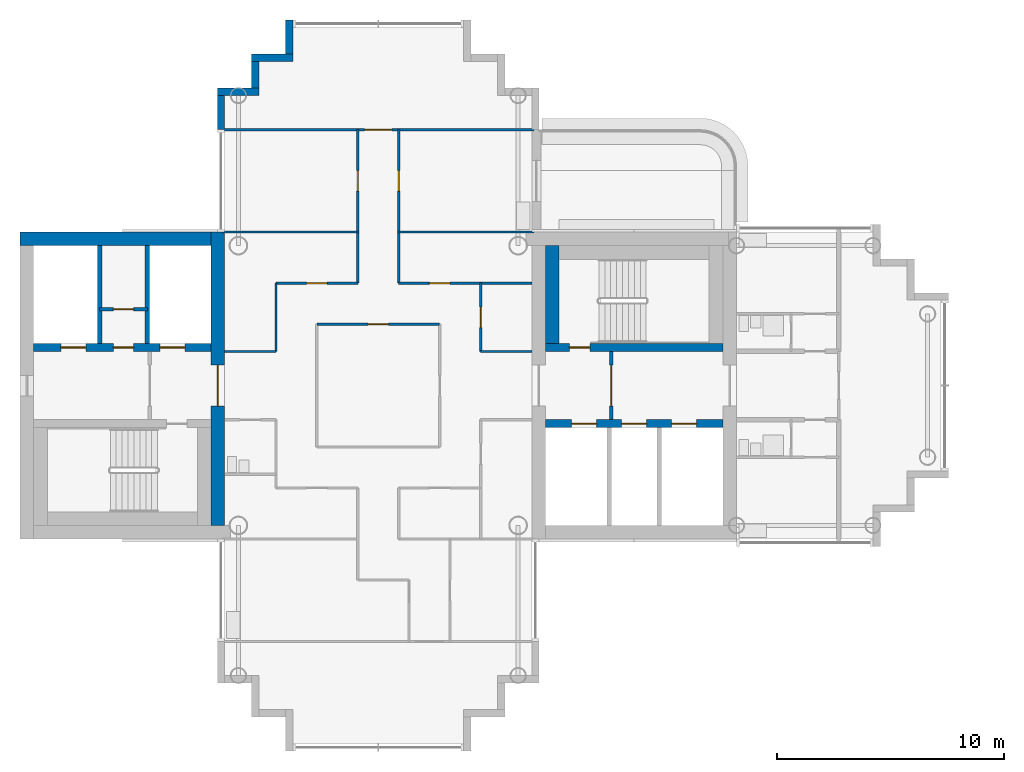
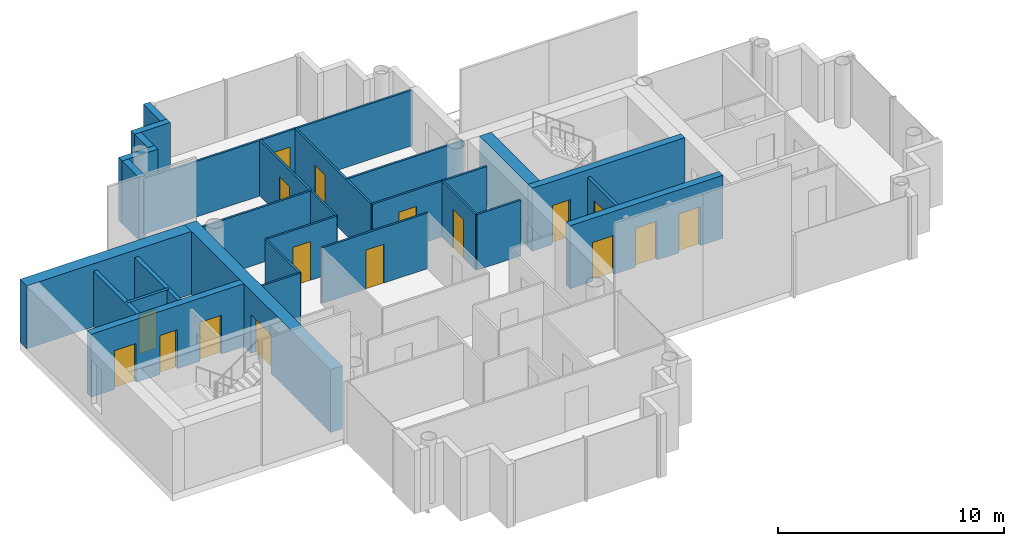
# One storey, part 7 of 18: 27 walls, 17 doors, 17 openings.
"""IFC4 building model written with IfcOpenShell, lengths in metres."""

from ifc_helpers import new_model, si_unit, direction, frame, frame_2d, origin, place, context, subcontext, project, spatial, rectangle, extrude, material, layer, layer_set, type_object, element, fill, save


model = new_model("IFC4")

# Units and contexts
model_context = context("Model", 3, precision=1e-05, world=origin(), true_north=direction((0.0, 1.0)))
body_context = subcontext(model_context, "Body", "Model", "MODEL_VIEW")
ifc_project = project(units=[si_unit("LENGTHUNIT", "METRE"), si_unit("AREAUNIT", "SQUARE_METRE"), si_unit("VOLUMEUNIT", "CUBIC_METRE"), si_unit("PLANEANGLEUNIT", "RADIAN"), si_unit("MASSUNIT", "GRAM", prefix="KILO")], contexts=[model_context])

# Site, building, storey
site_placement = place(None, origin())
site = spatial("IfcSite", under=ifc_project, at=site_placement, CompositionType="ELEMENT")
building_placement = place(site_placement, origin())
building = spatial("IfcBuilding", under=site, at=building_placement, Name="Ipe Terrace Towers", CompositionType="ELEMENT")
storey_placement = place(building_placement, frame((0.0, 0.0, 206.199951171875)))
storey = spatial("IfcBuildingStorey", under=building, at=storey_placement, Name="L57", CompositionType="ELEMENT", Elevation=206.199951171875)

# Walls
ifc_material_1 = material(Name="Concrete C40/50 with buff precast cladding", Category="concrete")
ifc_layer_1 = layer(ifc_material_1, 0.320068359375)
ifc_layer_set_1 = layer_set([ifc_layer_1], Name="BUFF CLADDING WALL 320")
wall_type_1 = type_object("IfcWallType", Name="BUFF CLADDING WALL 320", PredefinedType="STANDARD", material=ifc_layer_set_1)
wall_1_placement = place(storey_placement, frame((-39.909912109375, 16.070068359375, -0.300048828125), z_axis=(0.0, 0.0, 1.0), x_axis=(0.0, -1.0, 0.0)))
element("IfcWall", 1, at=wall_1_placement, inside=storey, type_object=wall_type_1, Name="T1-W-L57-35a wall", PredefinedType="STANDARD", context=body_context, shape_type="SweptSolid", body=[
    extrude(rectangle(XDim=1.5, YDim=0.320068359375, at=frame_2d((0.75, 0.0))), origin(), (0.0, 0.0, 1.0), 3.400146484375),
])
wall_2_placement = place(storey_placement, frame((-39.75, 14.409912109375, -0.300048828125), z_axis=(0.0, 0.0, 1.0), x_axis=(-1.0, 0.0, 0.0)))
element("IfcWall", 2, at=wall_2_placement, inside=storey, type_object=wall_type_1, Name="T1-W-L57-36a wall", PredefinedType="STANDARD", context=body_context, shape_type="SweptSolid", body=[
    extrude(rectangle(XDim=1.820068359375, YDim=0.320068359375, at=frame_2d((0.91015625, 0.0))), origin(), (0.0, 0.0, 1.0), 3.400146484375),
])
wall_3_placement = place(storey_placement, frame((-41.409912109375, 14.25, -0.300048828125), z_axis=(0.0, 0.0, 1.0), x_axis=(0.0, -1.0, 0.0)))
element("IfcWall", 3, at=wall_3_placement, inside=storey, type_object=wall_type_1, Name="T1-W-L57-37a wall", PredefinedType="STANDARD", context=body_context, shape_type="SweptSolid", body=[
    extrude(rectangle(XDim=1.179931640625, YDim=0.320068359375, at=frame_2d((0.58984375, 0.0))), origin(), (0.0, 0.0, 1.0), 3.400146484375),
])
wall_4_placement = place(storey_placement, frame((-41.25, 12.909912109375, -0.300048828125), z_axis=(0.0, 0.0, 1.0), x_axis=(-1.0, 0.0, 0.0)))
element("IfcWall", 4, at=wall_4_placement, inside=storey, type_object=wall_type_1, Name="T1-W-L57-38a wall", PredefinedType="STANDARD", context=body_context, shape_type="SweptSolid", body=[
    extrude(rectangle(XDim=1.820068359375, YDim=0.320068359375, at=frame_2d((0.91015625, 0.0))), origin(), (0.0, 0.0, 1.0), 3.400146484375),
])
wall_5_placement = place(storey_placement, frame((-42.909912109375, 12.75, -0.300048828125), z_axis=(0.0, 0.0, 1.0), x_axis=(0.0, -1.0, 0.0)))
element("IfcWall", 5, at=wall_5_placement, inside=storey, type_object=wall_type_1, Name="T1-W-L57-39a wall", PredefinedType="STANDARD", context=body_context, shape_type="SweptSolid", body=[
    extrude(rectangle(XDim=1.5, YDim=0.320068359375, at=frame_2d((0.75, 0.0))), origin(), (0.0, 0.0, 1.0), 3.400146484375),
])
ifc_material_2 = material(Name="Gypsum board partition", Category="plasterboard")
ifc_layer_2 = layer(ifc_material_2, 0.10009765625)
ifc_layer_set_2 = layer_set([ifc_layer_2], Name="Gypsum board partition 100 mm")
wall_type_2 = type_object("IfcWallType", Name="Gypsum board partition 100 mm", PredefinedType="PARTITIONING", material=ifc_layer_set_2)
wall_6_placement = place(storey_placement, frame((-40.5, 1.5, 0.0), z_axis=(0.0, 0.0, 1.0), x_axis=(0.0, 1.0, 0.0)))
element("IfcWall", 6, at=wall_6_placement, inside=storey, type_object=wall_type_2, Name="Gypsum board partition T1 L57 W02", PredefinedType="PARTITIONING", context=body_context, shape_type="SweptSolid", body=[
    extrude(rectangle(XDim=3.0, YDim=0.10009765625, at=frame_2d((1.5, 0.0))), origin(), (0.0, 0.0, 1.0), 3.0),
])

# Wall, opening, door
wall_7_placement = place(storey_placement, frame((-36.89990234375, 4.5, 0.0), z_axis=(0.0, 0.0, 1.0), x_axis=(0.0, 1.0, 0.0)))
wall_7 = element("IfcWall", 7, at=wall_7_placement, inside=storey, type_object=wall_type_2, Name="Gypsum board partition T1 L57 W05", PredefinedType="PARTITIONING", context=body_context, shape_type="SweptSolid", body=[
    extrude(rectangle(XDim=6.75, YDim=0.10009765625, at=frame_2d((3.375, 0.0))), origin(), (0.0, 0.0, 1.0), 3.0),
])
opening_1_placement = place(wall_7_placement, frame((4.050048828125, 0.0, 0.0)))
opening_1 = element("IfcOpeningElement", 8, at=opening_1_placement, cuts=wall_7, Name="Opening T1-Z4E-10", PredefinedType="OPENING", context=body_context, shape_type="SweptSolid", body=[
    extrude(rectangle(XDim=0.89990234375, YDim=2.10009765625, at=frame_2d((0.449951171875, 1.050048828125))), frame((0.0, 0.06005859375, 0.0), z_axis=(0.0, -1.0, 0.0), x_axis=(1.0, 0.0, 0.0)), (0.0, 0.0, 1.0), 0.1201171875),
])
ifc_material_3 = material(Name="Timber door leaf", Category="wood")
door_type_1 = type_object("IfcDoorType", Name="Lounge door 900 x 2100", OperationType="NOTDEFINED", PredefinedType="DOOR", material=ifc_material_3)
door_1_placement = place(opening_1_placement, origin())
door_1 = element("IfcDoor", 9, at=door_1_placement, inside=storey, type_object=door_type_1, Name="Lounge door T1-Z4E-10", OperationType="SINGLE_SWING_LEFT", OverallHeight=2.10009765625, OverallWidth=0.89990234375, PredefinedType="DOOR", context=body_context, shape_type="SweptSolid", body=[
    extrude(rectangle(XDim=0.89990234375, YDim=2.10009765625, at=frame_2d((0.449951171875, 1.050048828125))), frame((0.0, 0.02490234375, 0.0), z_axis=(0.0, -1.0, 0.0), x_axis=(1.0, 0.0, 0.0)), (0.0, 0.0, 1.0), 0.050048828125),
])
fill(opening_1, door_1)

wall_8_placement = place(storey_placement, frame((-35.10009765625, 4.5, 0.0), z_axis=(0.0, 0.0, 1.0), x_axis=(0.0, 1.0, 0.0)))
wall_8 = element("IfcWall", 10, at=wall_8_placement, inside=storey, type_object=wall_type_2, Name="Gypsum board partition T1 L57 W07", PredefinedType="PARTITIONING", context=body_context, shape_type="SweptSolid", body=[
    extrude(rectangle(XDim=6.75, YDim=0.10009765625, at=frame_2d((3.375, 0.0))), origin(), (0.0, 0.0, 1.0), 3.0),
])
opening_2_placement = place(wall_8_placement, frame((4.050048828125, 0.0, 0.0)))
opening_2 = element("IfcOpeningElement", 11, at=opening_2_placement, cuts=wall_8, Name="Opening T1-Z4E-11", PredefinedType="OPENING", context=body_context, shape_type="SweptSolid", body=[
    extrude(rectangle(XDim=0.89990234375, YDim=2.10009765625, at=frame_2d((0.449951171875, 1.050048828125))), frame((0.0, 0.06005859375, 0.0), z_axis=(0.0, -1.0, 0.0), x_axis=(1.0, 0.0, 0.0)), (0.0, 0.0, 1.0), 0.1201171875),
])
door_2_placement = place(opening_2_placement, origin())
door_2 = element("IfcDoor", 12, at=door_2_placement, inside=storey, type_object=door_type_1, Name="Lounge door T1-Z4E-11", OperationType="SINGLE_SWING_RIGHT", OverallHeight=2.10009765625, OverallWidth=0.89990234375, PredefinedType="DOOR", context=body_context, shape_type="SweptSolid", body=[
    extrude(rectangle(XDim=0.89990234375, YDim=2.10009765625, at=frame_2d((0.449951171875, 1.050048828125))), frame((0.0, 0.02490234375, 0.0), z_axis=(0.0, -1.0, 0.0), x_axis=(1.0, 0.0, 0.0)), (0.0, 0.0, 1.0), 0.050048828125),
])
fill(opening_2, door_2)

wall_9_placement = place(storey_placement, frame((-31.5, 1.5, 0.0), z_axis=(0.0, 0.0, 1.0), x_axis=(0.0, 1.0, 0.0)))
wall_9 = element("IfcWall", 13, at=wall_9_placement, inside=storey, type_object=wall_type_2, Name="Gypsum board partition T1 L57 W12", PredefinedType="PARTITIONING", context=body_context, shape_type="SweptSolid", body=[
    extrude(rectangle(XDim=3.0, YDim=0.10009765625, at=frame_2d((1.5, 0.0))), origin(), (0.0, 0.0, 1.0), 3.0),
])
opening_3_placement = place(wall_9_placement, frame((1.050048828125, 0.0, 0.0)))
opening_3 = element("IfcOpeningElement", 14, at=opening_3_placement, cuts=wall_9, Name="Opening T1-Z4E-05", PredefinedType="OPENING", context=body_context, shape_type="SweptSolid", body=[
    extrude(rectangle(XDim=0.89990234375, YDim=2.10009765625, at=frame_2d((0.449951171875, 1.050048828125))), frame((0.0, 0.06005859375, 0.0), z_axis=(0.0, -1.0, 0.0), x_axis=(1.0, 0.0, 0.0)), (0.0, 0.0, 1.0), 0.1201171875),
])
door_3_placement = place(opening_3_placement, origin())
door_3 = element("IfcDoor", 15, at=door_3_placement, inside=storey, type_object=door_type_1, Name="Lounge door T1-Z4E-05", OperationType="SINGLE_SWING_RIGHT", OverallHeight=2.10009765625, OverallWidth=0.89990234375, PredefinedType="DOOR", context=body_context, shape_type="SweptSolid", body=[
    extrude(rectangle(XDim=0.89990234375, YDim=2.10009765625, at=frame_2d((0.449951171875, 1.050048828125))), frame((0.0, 0.02490234375, 0.0), z_axis=(0.0, -1.0, 0.0), x_axis=(1.0, 0.0, 0.0)), (0.0, 0.0, 1.0), 0.050048828125),
])
fill(opening_3, door_3)

# Walls
for number, where, z_axis, x_axis, name in (
    (16, (-42.75, 1.5, 0.0), (0.0, 0.0, 1.0), (1.0, 0.0, 0.0), "Gypsum board partition T1 L57 W30"),
    (17, (-31.5, 1.5, 0.0), (0.0, 0.0, 1.0), (1.0, 0.0, 0.0), "Gypsum board partition T1 L57 W31"),
):
    element("IfcWall", number, at=place(storey_placement, frame(where, z_axis=z_axis, x_axis=x_axis)), inside=storey, type_object=wall_type_2, Name=name, PredefinedType="PARTITIONING", context=body_context, shape_type="SweptSolid", body=[
        extrude(rectangle(XDim=2.25, YDim=0.10009765625, at=frame_2d((1.125, 0.0))), origin(), (0.0, 0.0, 1.0), 3.0),
    ])

# Wall, opening, door
wall_10_placement = place(storey_placement, frame((-38.699951171875, 2.699951171875, 0.0), z_axis=(0.0, 0.0, 1.0), x_axis=(1.0, 0.0, 0.0)))
wall_10 = element("IfcWall", 18, at=wall_10_placement, inside=storey, type_object=wall_type_2, Name="Gypsum board partition T1 L57 W33", PredefinedType="PARTITIONING", context=body_context, shape_type="SweptSolid", body=[
    extrude(rectangle(XDim=5.39990234375, YDim=0.10009765625, at=frame_2d((2.699951171875, 0.0))), origin(), (0.0, 0.0, 1.0), 3.0),
])
opening_4_placement = place(wall_10_placement, frame((2.25, 0.0, 0.0)))
opening_4 = element("IfcOpeningElement", 19, at=opening_4_placement, cuts=wall_10, Name="Opening T1-Z4E-01", PredefinedType="OPENING", context=body_context, shape_type="SweptSolid", body=[
    extrude(rectangle(XDim=0.89990234375, YDim=2.10009765625, at=frame_2d((0.449951171875, 1.050048828125))), frame((0.0, 0.06005859375, 0.0), z_axis=(0.0, -1.0, 0.0), x_axis=(1.0, 0.0, 0.0)), (0.0, 0.0, 1.0), 0.1201171875),
])
door_4_placement = place(opening_4_placement, origin())
door_4 = element("IfcDoor", 20, at=door_4_placement, inside=storey, type_object=door_type_1, Name="Lounge door T1-Z4E-01", OperationType="SINGLE_SWING_RIGHT", OverallHeight=2.10009765625, OverallWidth=0.89990234375, PredefinedType="DOOR", context=body_context, shape_type="SweptSolid", body=[
    extrude(rectangle(XDim=0.89990234375, YDim=2.10009765625, at=frame_2d((0.449951171875, 1.050048828125))), frame((0.0, 0.02490234375, 0.0), z_axis=(0.0, -1.0, 0.0), x_axis=(1.0, 0.0, 0.0)), (0.0, 0.0, 1.0), 0.050048828125),
])
fill(opening_4, door_4)

wall_11_placement = place(storey_placement, frame((-40.5, 4.5, 0.0), z_axis=(0.0, 0.0, 1.0), x_axis=(1.0, 0.0, 0.0)))
wall_11 = element("IfcWall", 21, at=wall_11_placement, inside=storey, type_object=wall_type_2, Name="Gypsum board partition T1 L57 W35", PredefinedType="PARTITIONING", context=body_context, shape_type="SweptSolid", body=[
    extrude(rectangle(XDim=3.60009765625, YDim=0.10009765625, at=frame_2d((1.800048828125, 0.0))), origin(), (0.0, 0.0, 1.0), 3.0),
])
opening_5_placement = place(wall_11_placement, frame((1.35009765625, 0.0, 0.0)))
opening_5 = element("IfcOpeningElement", 22, at=opening_5_placement, cuts=wall_11, Name="Opening T1-Z4E-06", PredefinedType="OPENING", context=body_context, shape_type="SweptSolid", body=[
    extrude(rectangle(XDim=0.89990234375, YDim=2.10009765625, at=frame_2d((0.449951171875, 1.050048828125))), frame((0.0, 0.06005859375, 0.0), z_axis=(0.0, -1.0, 0.0), x_axis=(1.0, 0.0, 0.0)), (0.0, 0.0, 1.0), 0.1201171875),
])
door_5_placement = place(opening_5_placement, origin())
door_5 = element("IfcDoor", 23, at=door_5_placement, inside=storey, type_object=door_type_1, Name="Lounge door T1-Z4E-06", OperationType="SINGLE_SWING_LEFT", OverallHeight=2.10009765625, OverallWidth=0.89990234375, PredefinedType="DOOR", context=body_context, shape_type="SweptSolid", body=[
    extrude(rectangle(XDim=0.89990234375, YDim=2.10009765625, at=frame_2d((0.449951171875, 1.050048828125))), frame((0.0, 0.02490234375, 0.0), z_axis=(0.0, -1.0, 0.0), x_axis=(1.0, 0.0, 0.0)), (0.0, 0.0, 1.0), 0.050048828125),
])
fill(opening_5, door_5)

wall_12_placement = place(storey_placement, frame((-35.10009765625, 4.5, 0.0), z_axis=(0.0, 0.0, 1.0), x_axis=(1.0, 0.0, 0.0)))
wall_12 = element("IfcWall", 24, at=wall_12_placement, inside=storey, type_object=wall_type_2, Name="Gypsum board partition T1 L57 W36", PredefinedType="PARTITIONING", context=body_context, shape_type="SweptSolid", body=[
    extrude(rectangle(XDim=5.85009765625, YDim=0.10009765625, at=frame_2d((2.925048828125, 0.0))), origin(), (0.0, 0.0, 1.0), 3.0),
])
opening_6_placement = place(wall_12_placement, frame((1.35009765625, 0.0, 0.0)))
opening_6 = element("IfcOpeningElement", 25, at=opening_6_placement, cuts=wall_12, Name="Opening T1-Z4E-04", PredefinedType="OPENING", context=body_context, shape_type="SweptSolid", body=[
    extrude(rectangle(XDim=0.89990234375, YDim=2.10009765625, at=frame_2d((0.449951171875, 1.050048828125))), frame((0.0, 0.06005859375, 0.0), z_axis=(0.0, -1.0, 0.0), x_axis=(1.0, 0.0, 0.0)), (0.0, 0.0, 1.0), 0.1201171875),
])
door_6_placement = place(opening_6_placement, origin())
door_6 = element("IfcDoor", 26, at=door_6_placement, inside=storey, type_object=door_type_1, Name="Lounge door T1-Z4E-04", OperationType="SINGLE_SWING_RIGHT", OverallHeight=2.10009765625, OverallWidth=0.89990234375, PredefinedType="DOOR", context=body_context, shape_type="SweptSolid", body=[
    extrude(rectangle(XDim=0.89990234375, YDim=2.10009765625, at=frame_2d((0.449951171875, 1.050048828125))), frame((0.0, 0.02490234375, 0.0), z_axis=(0.0, -1.0, 0.0), x_axis=(1.0, 0.0, 0.0)), (0.0, 0.0, 1.0), 0.050048828125),
])
fill(opening_6, door_6)

# Walls
for number, where, z_axis, x_axis, name in (
    (27, (-42.85009765625, 6.75, 0.0), (0.0, 0.0, 1.0), (1.0, 0.0, 0.0), "Gypsum board partition T1 L57 W37"),
    (28, (-35.10009765625, 6.75, 0.0), (0.0, 0.0, 1.0), (1.0, 0.0, 0.0), "Gypsum board partition T1 L57 W38"),
):
    element("IfcWall", number, at=place(storey_placement, frame(where, z_axis=z_axis, x_axis=x_axis)), inside=storey, type_object=wall_type_2, Name=name, PredefinedType="PARTITIONING", context=body_context, shape_type="SweptSolid", body=[
        extrude(rectangle(XDim=5.9501953125, YDim=0.10009765625, at=frame_2d((2.97509765625, 0.0))), origin(), (0.0, 0.0, 1.0), 3.0),
    ])

# Wall, opening, door
wall_13_placement = place(storey_placement, frame((-42.85009765625, 11.25, 0.0), z_axis=(0.0, 0.0, 1.0), x_axis=(1.0, 0.0, 0.0)))
wall_13 = element("IfcWall", 29, at=wall_13_placement, inside=storey, type_object=wall_type_2, Name="Gypsum board partition T1 L57 W39", PredefinedType="PARTITIONING", context=body_context, shape_type="SweptSolid", body=[
    extrude(rectangle(XDim=13.7001953125, YDim=0.10009765625, at=frame_2d((6.85009765625, 0.0))), origin(), (0.0, 0.0, 1.0), 3.0),
])
opening_7_placement = place(wall_13_placement, frame((6.25, 0.0, 0.0)))
opening_7 = element("IfcOpeningElement", 30, at=opening_7_placement, cuts=wall_13, Name="Opening T1-Z4E-12", PredefinedType="OPENING", context=body_context, shape_type="SweptSolid", body=[
    extrude(rectangle(XDim=1.199951171875, YDim=2.10009765625, at=frame_2d((0.60009765625, 1.050048828125))), frame((0.0, 0.06005859375, 0.0), z_axis=(0.0, -1.0, 0.0), x_axis=(1.0, 0.0, 0.0)), (0.0, 0.0, 1.0), 0.1201171875),
])
ifc_material_4 = material(Name="Timber door leaf", Category="wood")
door_type_2 = type_object("IfcDoorType", Name="Lounge door 1200 x 2100", OperationType="NOTDEFINED", PredefinedType="DOOR", material=ifc_material_4)
door_7_placement = place(opening_7_placement, origin())
door_7 = element("IfcDoor", 31, at=door_7_placement, inside=storey, type_object=door_type_2, Name="Lounge door T1-Z4E-12", OperationType="SINGLE_SWING_LEFT", OverallHeight=2.10009765625, OverallWidth=1.199951171875, PredefinedType="DOOR", context=body_context, shape_type="SweptSolid", body=[
    extrude(rectangle(XDim=1.199951171875, YDim=2.10009765625, at=frame_2d((0.60009765625, 1.050048828125))), frame((0.0, 0.02490234375, 0.0), z_axis=(0.0, -1.0, 0.0), x_axis=(1.0, 0.0, 0.0)), (0.0, 0.0, 1.0), 0.050048828125),
])
fill(opening_7, door_7)

ifc_material_5 = material(Name="Gypsum board partition", Category="plasterboard")
ifc_layer_3 = layer(ifc_material_5, 0.14990234375)
ifc_layer_set_3 = layer_set([ifc_layer_3], Name="Gypsum board partition 150 mm")
wall_type_3 = type_object("IfcWallType", Name="Gypsum board partition 150 mm", PredefinedType="PARTITIONING", material=ifc_layer_set_3)
wall_14_placement = place(storey_placement, frame((-25.75, -1.5, 0.0), z_axis=(0.0, 0.0, 1.0), x_axis=(0.0, 1.0, 0.0)))
wall_14 = element("IfcWall", 32, at=wall_14_placement, inside=storey, type_object=wall_type_3, Name="Gypsum board partition T1 L57 t1c1-lobby-wall", PredefinedType="PARTITIONING", context=body_context, shape_type="SweptSolid", body=[
    extrude(rectangle(XDim=3.0, YDim=0.14990234375, at=frame_2d((1.5, 0.0))), origin(), (0.0, 0.0, 1.0), 3.0),
])
opening_8_placement = place(wall_14_placement, frame((0.60009765625, 0.0, 0.0)))
opening_8 = element("IfcOpeningElement", 33, at=opening_8_placement, cuts=wall_14, Name="Opening T1C1-VD", PredefinedType="OPENING", context=body_context, shape_type="SweptSolid", body=[
    extrude(rectangle(XDim=1.800048828125, YDim=2.10009765625, at=frame_2d((0.89990234375, 1.050048828125))), frame((0.0, 0.0849609375, 0.0), z_axis=(0.0, -1.0, 0.0), x_axis=(1.0, 0.0, 0.0)), (0.0, 0.0, 1.0), 0.169921875),
])
ifc_material_6 = material(Name="Fire-rated timber door leaf", Category="wood")
door_type_3 = type_object("IfcDoorType", Name="Lobby door 1800 x 2100 FD60", OperationType="NOTDEFINED", PredefinedType="DOOR", material=ifc_material_6)
door_8_placement = place(opening_8_placement, origin())
door_8 = element("IfcDoor", 34, at=door_8_placement, inside=storey, type_object=door_type_3, Name="Lobby door T1C1-VD", OperationType="SINGLE_SWING_LEFT", OverallHeight=2.10009765625, OverallWidth=1.800048828125, PredefinedType="DOOR", context=body_context, shape_type="SweptSolid", body=[
    extrude(rectangle(XDim=1.800048828125, YDim=2.10009765625, at=frame_2d((0.89990234375, 1.050048828125))), frame((0.0, 0.02490234375, 0.0), z_axis=(0.0, -1.0, 0.0), x_axis=(1.0, 0.0, 0.0)), (0.0, 0.0, 1.0), 0.050048828125),
])
fill(opening_8, door_8)

wall_15_placement = place(storey_placement, frame((-46.14990234375, 3.35009765625, 0.0), z_axis=(0.0, 0.0, 1.0), x_axis=(-1.0, 0.0, 0.0)))
wall_15 = element("IfcWall", 35, at=wall_15_placement, inside=storey, type_object=wall_type_3, Name="Gypsum board partition T1 L57 t1c2-q-back", PredefinedType="PARTITIONING", context=body_context, shape_type="SweptSolid", body=[
    extrude(rectangle(XDim=2.10009765625, YDim=0.14990234375, at=frame_2d((1.050048828125, 0.0))), origin(), (0.0, 0.0, 1.0), 3.0),
])
opening_9_placement = place(wall_15_placement, frame((0.60009765625, 0.0, 0.0)))
opening_9 = element("IfcOpeningElement", 36, at=opening_9_placement, cuts=wall_15, Name="Opening T1C2-RB-FD30S", PredefinedType="OPENING", context=body_context, shape_type="SweptSolid", body=[
    extrude(rectangle(XDim=0.89990234375, YDim=2.10009765625, at=frame_2d((0.449951171875, 1.050048828125))), frame((0.0, 0.0849609375, 0.0), z_axis=(0.0, -1.0, 0.0), x_axis=(1.0, 0.0, 0.0)), (0.0, 0.0, 1.0), 0.169921875),
])
ifc_material_7 = material(Name="Fire-rated timber door leaf", Category="wood")
door_type_4 = type_object("IfcDoorType", Name="Service door 900 x 2100 FD30S", OperationType="NOTDEFINED", PredefinedType="DOOR", material=ifc_material_7)
door_9_placement = place(opening_9_placement, origin())
door_9 = element("IfcDoor", 37, at=door_9_placement, inside=storey, type_object=door_type_4, Name="Service door T1C2-RB-FD30S", OperationType="SINGLE_SWING_LEFT", OverallHeight=2.10009765625, OverallWidth=0.89990234375, PredefinedType="DOOR", context=body_context, shape_type="SweptSolid", body=[
    extrude(rectangle(XDim=0.89990234375, YDim=2.10009765625, at=frame_2d((0.449951171875, 1.050048828125))), frame((0.0, 0.02490234375, 0.0), z_axis=(0.0, -1.0, 0.0), x_axis=(1.0, 0.0, 0.0)), (0.0, 0.0, 1.0), 0.050048828125),
])
fill(opening_9, door_9)

# Walls
ifc_material_8 = material(Name="Gypsum board party wall", Category="plasterboard")
ifc_layer_4 = layer(ifc_material_8, 0.199951171875)
ifc_layer_set_4 = layer_set([ifc_layer_4], Name="Gypsum board party wall 200 mm")
wall_type_4 = type_object("IfcWallType", Name="Gypsum board party wall 200 mm", PredefinedType="SOLIDWALL", material=ifc_layer_set_4)
for number, where, z_axis, x_axis, name in (
    (38, (-48.25, 6.14990234375, 0.0), (0.0, 0.0, 1.0), (0.0, -1.0, 0.0), "Gypsum board party wall T1 L57 t1c2-shaft-div2"),
    (39, (-46.14990234375, 6.14990234375, 0.0), (0.0, 0.0, 1.0), (0.0, -1.0, 0.0), "Gypsum board party wall T1 L57 t1c2-shaft-div1"),
):
    element("IfcWall", number, at=place(storey_placement, frame(where, z_axis=z_axis, x_axis=x_axis)), inside=storey, type_object=wall_type_4, Name=name, PredefinedType="SOLIDWALL", context=body_context, shape_type="SweptSolid", body=[
        extrude(rectangle(XDim=4.2998046875, YDim=0.199951171875, at=frame_2d((2.14990234375, 0.0))), origin(), (0.0, 0.0, 1.0), 3.0),
    ])

# Wall, openings, doors
ifc_material_9 = material(Name="Concrete C40/50", Category="concrete")
ifc_layer_5 = layer(ifc_material_9, 0.35009765625)
ifc_layer_set_5 = layer_set([ifc_layer_5], Name="RW350 CORE SPINE WALL 350 C40-50")
wall_type_5 = type_object("IfcWallType", Name="RW350 CORE SPINE WALL 350 C40-50", PredefinedType="SHEAR", material=ifc_layer_set_5)
wall_16_placement = place(storey_placement, frame((-28.64990234375, -1.675048828125, 0.0), z_axis=(0.0, 0.0, 1.0), x_axis=(1.0, 0.0, 0.0)))
wall_16 = element("IfcWall", 40, at=wall_16_placement, inside=storey, type_object=wall_type_5, Name="Core spine wall T1-C1-Z4-SW1", PredefinedType="SHEAR", context=body_context, shape_type="SweptSolid", body=[
    extrude(rectangle(XDim=7.7998046875, YDim=0.35009765625, at=frame_2d((3.89990234375, 0.0))), origin(), (0.0, 0.0, 1.0), 3.400146484375),
])
opening_10_placement = place(wall_16_placement, frame((1.14990234375, 0.0, 0.0)))
opening_10 = element("IfcOpeningElement", 41, at=opening_10_placement, cuts=wall_16, Name="Opening T1C1-LD1", PredefinedType="OPENING", context=body_context, shape_type="SweptSolid", body=[
    extrude(rectangle(XDim=1.10009765625, YDim=2.10009765625, at=frame_2d((0.550048828125, 1.050048828125))), frame((0.0, 0.18505859375, 0.0), z_axis=(0.0, -1.0, 0.0), x_axis=(1.0, 0.0, 0.0)), (0.0, 0.0, 1.0), 0.3701171875),
])
opening_11_placement = place(wall_16_placement, frame((3.35009765625, 0.0, 0.0)))
opening_11 = element("IfcOpeningElement", 42, at=opening_11_placement, cuts=wall_16, Name="Opening T1C1-LD2", PredefinedType="OPENING", context=body_context, shape_type="SweptSolid", body=[
    extrude(rectangle(XDim=1.10009765625, YDim=2.10009765625, at=frame_2d((0.550048828125, 1.050048828125))), frame((0.0, 0.18505859375, 0.0), z_axis=(0.0, -1.0, 0.0), x_axis=(1.0, 0.0, 0.0)), (0.0, 0.0, 1.0), 0.3701171875),
])
opening_12_placement = place(wall_16_placement, frame((5.550048828125, 0.0, 0.0)))
opening_12 = element("IfcOpeningElement", 43, at=opening_12_placement, cuts=wall_16, Name="Opening T1C1-LD3", PredefinedType="OPENING", context=body_context, shape_type="SweptSolid", body=[
    extrude(rectangle(XDim=1.10009765625, YDim=2.10009765625, at=frame_2d((0.550048828125, 1.050048828125))), frame((0.0, 0.18505859375, 0.0), z_axis=(0.0, -1.0, 0.0), x_axis=(1.0, 0.0, 0.0)), (0.0, 0.0, 1.0), 0.3701171875),
])
ifc_material_10 = material(Name="Fire-rated timber door leaf", Category="wood")
door_type_5 = type_object("IfcDoorType", Name="Sliding door 1100 x 2100 FD60", OperationType="SLIDING_TO_LEFT", PredefinedType="DOOR", material=ifc_material_10)
door_10_placement = place(opening_10_placement, origin())
door_10 = element("IfcDoor", 44, at=door_10_placement, inside=storey, type_object=door_type_5, Name="Sliding door T1C1-LD1", OperationType="SLIDING_TO_LEFT", OverallHeight=2.10009765625, OverallWidth=1.10009765625, PredefinedType="DOOR", context=body_context, shape_type="SweptSolid", body=[
    extrude(rectangle(XDim=1.10009765625, YDim=2.10009765625, at=frame_2d((0.550048828125, 1.050048828125))), frame((0.0, 0.02490234375, 0.0), z_axis=(0.0, -1.0, 0.0), x_axis=(1.0, 0.0, 0.0)), (0.0, 0.0, 1.0), 0.050048828125),
])
fill(opening_10, door_10)
door_11_placement = place(opening_11_placement, origin())
door_11 = element("IfcDoor", 45, at=door_11_placement, inside=storey, type_object=door_type_5, Name="Sliding door T1C1-LD2", OperationType="SLIDING_TO_LEFT", OverallHeight=2.10009765625, OverallWidth=1.10009765625, PredefinedType="DOOR", context=body_context, shape_type="SweptSolid", body=[
    extrude(rectangle(XDim=1.10009765625, YDim=2.10009765625, at=frame_2d((0.550048828125, 1.050048828125))), frame((0.0, 0.02490234375, 0.0), z_axis=(0.0, -1.0, 0.0), x_axis=(1.0, 0.0, 0.0)), (0.0, 0.0, 1.0), 0.050048828125),
])
fill(opening_11, door_11)
door_12_placement = place(opening_12_placement, origin())
door_12 = element("IfcDoor", 46, at=door_12_placement, inside=storey, type_object=door_type_5, Name="Sliding door T1C1-LD3", OperationType="SLIDING_TO_LEFT", OverallHeight=2.10009765625, OverallWidth=1.10009765625, PredefinedType="DOOR", context=body_context, shape_type="SweptSolid", body=[
    extrude(rectangle(XDim=1.10009765625, YDim=2.10009765625, at=frame_2d((0.550048828125, 1.050048828125))), frame((0.0, 0.02490234375, 0.0), z_axis=(0.0, -1.0, 0.0), x_axis=(1.0, 0.0, 0.0)), (0.0, 0.0, 1.0), 0.050048828125),
])
fill(opening_12, door_12)

# Wall, opening, door
wall_17_placement = place(storey_placement, frame((-28.64990234375, 1.675048828125, 0.0), z_axis=(0.0, 0.0, 1.0), x_axis=(1.0, 0.0, 0.0)))
wall_17 = element("IfcWall", 47, at=wall_17_placement, inside=storey, type_object=wall_type_5, Name="Core spine wall T1-C1-Z4-SW2", PredefinedType="SHEAR", context=body_context, shape_type="SweptSolid", body=[
    extrude(rectangle(XDim=7.7998046875, YDim=0.35009765625, at=frame_2d((3.89990234375, 0.0))), origin(), (0.0, 0.0, 1.0), 3.400146484375),
])
opening_13_placement = place(wall_17_placement, frame((1.050048828125, 0.0, 0.0)))
opening_13 = element("IfcOpeningElement", 48, at=opening_13_placement, cuts=wall_17, Name="Opening T1C1-SD", PredefinedType="OPENING", context=body_context, shape_type="SweptSolid", body=[
    extrude(rectangle(XDim=0.89990234375, YDim=2.10009765625, at=frame_2d((0.449951171875, 1.050048828125))), frame((0.0, 0.18505859375, 0.0), z_axis=(0.0, -1.0, 0.0), x_axis=(1.0, 0.0, 0.0)), (0.0, 0.0, 1.0), 0.3701171875),
])
ifc_material_11 = material(Name="Fire-rated timber door leaf", Category="wood")
door_type_6 = type_object("IfcDoorType", Name="Stair door 900 x 2100 FD60", OperationType="NOTDEFINED", PredefinedType="DOOR", material=ifc_material_11)
door_13_placement = place(opening_13_placement, origin())
door_13 = element("IfcDoor", 49, at=door_13_placement, inside=storey, type_object=door_type_6, Name="Stair door T1C1-SD", OperationType="SINGLE_SWING_LEFT", OverallHeight=2.10009765625, OverallWidth=0.89990234375, PredefinedType="DOOR", context=body_context, shape_type="SweptSolid", body=[
    extrude(rectangle(XDim=0.89990234375, YDim=2.10009765625, at=frame_2d((0.449951171875, 1.050048828125))), frame((0.0, 0.02490234375, 0.0), z_axis=(0.0, -1.0, 0.0), x_axis=(1.0, 0.0, 0.0)), (0.0, 0.0, 1.0), 0.050048828125),
])
fill(opening_13, door_13)

# Wall, openings, doors
wall_18_placement = place(storey_placement, frame((-51.14990234375, 1.675048828125, 0.0), z_axis=(0.0, 0.0, 1.0), x_axis=(1.0, 0.0, 0.0)))
wall_18 = element("IfcWall", 50, at=wall_18_placement, inside=storey, type_object=wall_type_5, Name="Core spine wall T1-C2-Z4-SW2", PredefinedType="SHEAR", context=body_context, shape_type="SweptSolid", body=[
    extrude(rectangle(XDim=7.7998046875, YDim=0.35009765625, at=frame_2d((3.89990234375, 0.0))), origin(), (0.0, 0.0, 1.0), 3.400146484375),
])
opening_14_placement = place(wall_18_placement, frame((5.550048828125, 0.0, 0.0)))
opening_14 = element("IfcOpeningElement", 51, at=opening_14_placement, cuts=wall_18, Name="Opening T1C2-LD1", PredefinedType="OPENING", context=body_context, shape_type="SweptSolid", body=[
    extrude(rectangle(XDim=1.10009765625, YDim=2.10009765625, at=frame_2d((0.550048828125, 1.050048828125))), frame((0.0, 0.18505859375, 0.0), z_axis=(0.0, -1.0, 0.0), x_axis=(1.0, 0.0, 0.0)), (0.0, 0.0, 1.0), 0.3701171875),
])
opening_15_placement = place(wall_18_placement, frame((1.199951171875, 0.0, 0.0)))
opening_15 = element("IfcOpeningElement", 52, at=opening_15_placement, cuts=wall_18, Name="Opening T1C2-LD3", PredefinedType="OPENING", context=body_context, shape_type="SweptSolid", body=[
    extrude(rectangle(XDim=1.10009765625, YDim=2.10009765625, at=frame_2d((0.550048828125, 1.050048828125))), frame((0.0, 0.18505859375, 0.0), z_axis=(0.0, -1.0, 0.0), x_axis=(1.0, 0.0, 0.0)), (0.0, 0.0, 1.0), 0.3701171875),
])
opening_16_placement = place(wall_18_placement, frame((3.5, 0.0, 0.0)))
opening_16 = element("IfcOpeningElement", 53, at=opening_16_placement, cuts=wall_18, Name="Opening T1C2-R1-NR", PredefinedType="OPENING", context=body_context, shape_type="SweptSolid", body=[
    extrude(rectangle(XDim=0.89990234375, YDim=2.10009765625, at=frame_2d((0.449951171875, 1.050048828125))), frame((0.0, 0.18505859375, 0.0), z_axis=(0.0, -1.0, 0.0), x_axis=(1.0, 0.0, 0.0)), (0.0, 0.0, 1.0), 0.3701171875),
])
door_14_placement = place(opening_14_placement, origin())
door_14 = element("IfcDoor", 54, at=door_14_placement, inside=storey, type_object=door_type_5, Name="Sliding door T1C2-LD1", OperationType="SLIDING_TO_LEFT", OverallHeight=2.10009765625, OverallWidth=1.10009765625, PredefinedType="DOOR", context=body_context, shape_type="SweptSolid", body=[
    extrude(rectangle(XDim=1.10009765625, YDim=2.10009765625, at=frame_2d((0.550048828125, 1.050048828125))), frame((0.0, 0.02490234375, 0.0), z_axis=(0.0, -1.0, 0.0), x_axis=(1.0, 0.0, 0.0)), (0.0, 0.0, 1.0), 0.050048828125),
])
fill(opening_14, door_14)
door_15_placement = place(opening_15_placement, origin())
door_15 = element("IfcDoor", 55, at=door_15_placement, inside=storey, type_object=door_type_5, Name="Sliding door T1C2-LD3", OperationType="SLIDING_TO_LEFT", OverallHeight=2.10009765625, OverallWidth=1.10009765625, PredefinedType="DOOR", context=body_context, shape_type="SweptSolid", body=[
    extrude(rectangle(XDim=1.10009765625, YDim=2.10009765625, at=frame_2d((0.550048828125, 1.050048828125))), frame((0.0, 0.02490234375, 0.0), z_axis=(0.0, -1.0, 0.0), x_axis=(1.0, 0.0, 0.0)), (0.0, 0.0, 1.0), 0.050048828125),
])
fill(opening_15, door_15)
ifc_material_12 = material(Name="Timber door leaf", Category="wood")
door_type_7 = type_object("IfcDoorType", Name="Store door 900 x 2100", OperationType="NOTDEFINED", PredefinedType="DOOR", material=ifc_material_12)
door_16_placement = place(opening_16_placement, origin())
door_16 = element("IfcDoor", 56, at=door_16_placement, inside=storey, type_object=door_type_7, Name="Store door T1C2-R1-NR", OperationType="SINGLE_SWING_LEFT", OverallHeight=2.10009765625, OverallWidth=0.89990234375, PredefinedType="DOOR", context=body_context, shape_type="SweptSolid", body=[
    extrude(rectangle(XDim=0.89990234375, YDim=2.10009765625, at=frame_2d((0.449951171875, 1.050048828125))), frame((0.0, 0.02490234375, 0.0), z_axis=(0.0, -1.0, 0.0), x_axis=(1.0, 0.0, 0.0)), (0.0, 0.0, 1.0), 0.050048828125),
])
fill(opening_16, door_16)

# Wall
ifc_material_13 = material(Name="Concrete C40/50", Category="concrete")
ifc_layer_6 = layer(ifc_material_13, 0.60009765625)
ifc_layer_set_6 = layer_set([ifc_layer_6], Name="RW600 CORE INFILL WALL 600 C40-50")
wall_type_6 = type_object("IfcWallType", Name="RW600 CORE INFILL WALL 600 C40-50", PredefinedType="SHEAR", material=ifc_layer_set_6)
wall_19_placement = place(storey_placement, frame((-28.35009765625, 1.85009765625, 0.0), z_axis=(0.0, 0.0, 1.0), x_axis=(0.0, 1.0, 0.0)))
element("IfcWall", 57, at=wall_19_placement, inside=storey, type_object=wall_type_6, Name="Core infill wall T1-C1-near", PredefinedType="SHEAR", context=body_context, shape_type="SweptSolid", body=[
    extrude(rectangle(XDim=4.2998046875, YDim=0.60009765625, at=frame_2d((2.14990234375, 0.0))), origin(), (0.0, 0.0, 1.0), 3.400146484375),
])

# Wall, opening, door
ifc_material_14 = material(Name="Concrete C40/50", Category="concrete")
ifc_layer_7 = layer(ifc_material_14, 0.60009765625)
ifc_layer_set_7 = layer_set([ifc_layer_7], Name="RW600 CORE WALL 600 C40-50")
wall_type_7 = type_object("IfcWallType", Name="RW600 CORE WALL 600 C40-50", PredefinedType="SHEAR", material=ifc_layer_set_7)
wall_20_placement = place(storey_placement, frame((-43.050048828125, -6.14990234375, 0.0), z_axis=(0.0, 0.0, 1.0), x_axis=(0.0, 1.0, 0.0)))
wall_20 = element("IfcWall", 58, at=wall_20_placement, inside=storey, type_object=wall_type_7, Name="Core wall T1-C2-Z4-W02", PredefinedType="SHEAR", context=body_context, shape_type="SweptSolid", body=[
    extrude(rectangle(XDim=12.89990234375, YDim=0.60009765625, at=frame_2d((6.449951171875, 0.0))), origin(), (0.0, 0.0, 1.0), 3.400146484375),
])
opening_17_placement = place(wall_20_placement, frame((5.25, 0.0, 0.0)))
opening_17 = element("IfcOpeningElement", 59, at=opening_17_placement, cuts=wall_20, Name="Opening T1C2-ND", PredefinedType="OPENING", context=body_context, shape_type="SweptSolid", body=[
    extrude(rectangle(XDim=1.800048828125, YDim=2.10009765625, at=frame_2d((0.89990234375, 1.050048828125))), frame((0.0, 0.31005859375, 0.0), z_axis=(0.0, -1.0, 0.0), x_axis=(1.0, 0.0, 0.0)), (0.0, 0.0, 1.0), 0.6201171875),
])
ifc_material_15 = material(Name="Fire-rated timber door leaf", Category="wood")
door_type_8 = type_object("IfcDoorType", Name="Fire door 1800 x 2100 FD30S", OperationType="NOTDEFINED", PredefinedType="DOOR", material=ifc_material_15)
door_17_placement = place(opening_17_placement, origin())
door_17 = element("IfcDoor", 60, at=door_17_placement, inside=storey, type_object=door_type_8, Name="Fire door T1C2-ND", OperationType="SINGLE_SWING_LEFT", OverallHeight=2.10009765625, OverallWidth=1.800048828125, PredefinedType="DOOR", context=body_context, shape_type="SweptSolid", body=[
    extrude(rectangle(XDim=1.800048828125, YDim=2.10009765625, at=frame_2d((0.89990234375, 1.050048828125))), frame((0.0, 0.02490234375, 0.0), z_axis=(0.0, -1.0, 0.0), x_axis=(1.0, 0.0, 0.0)), (0.0, 0.0, 1.0), 0.050048828125),
])
fill(opening_17, door_17)

# Wall
wall_21_placement = place(storey_placement, frame((-43.35009765625, 6.449951171875, 0.0), z_axis=(0.0, 0.0, 1.0), x_axis=(-1.0, 0.0, 0.0)))
element("IfcWall", 61, at=wall_21_placement, inside=storey, type_object=wall_type_7, Name="Core wall T1-C2-Z4-W03", PredefinedType="SHEAR", context=body_context, shape_type="SweptSolid", body=[
    extrude(rectangle(XDim=8.39990234375, YDim=0.60009765625, at=frame_2d((4.199951171875, 0.0))), origin(), (0.0, 0.0, 1.0), 3.400146484375),
])

save(model, "model.ifc")
